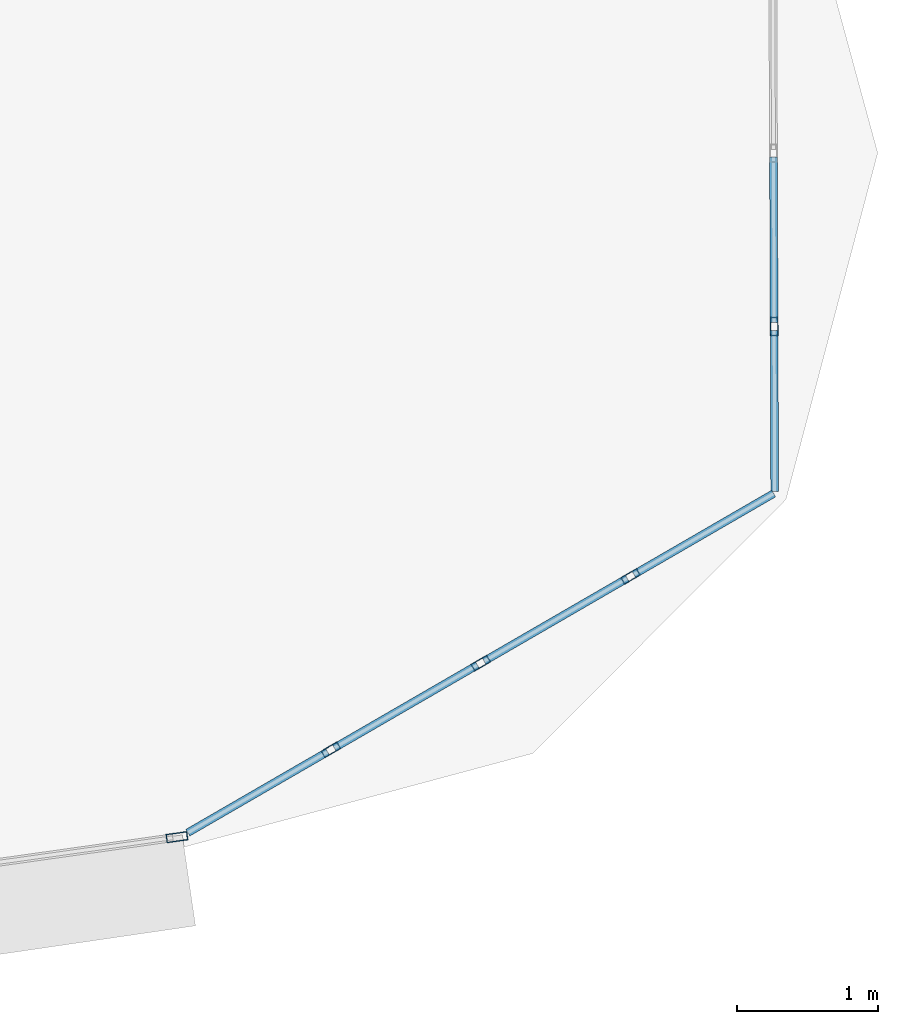
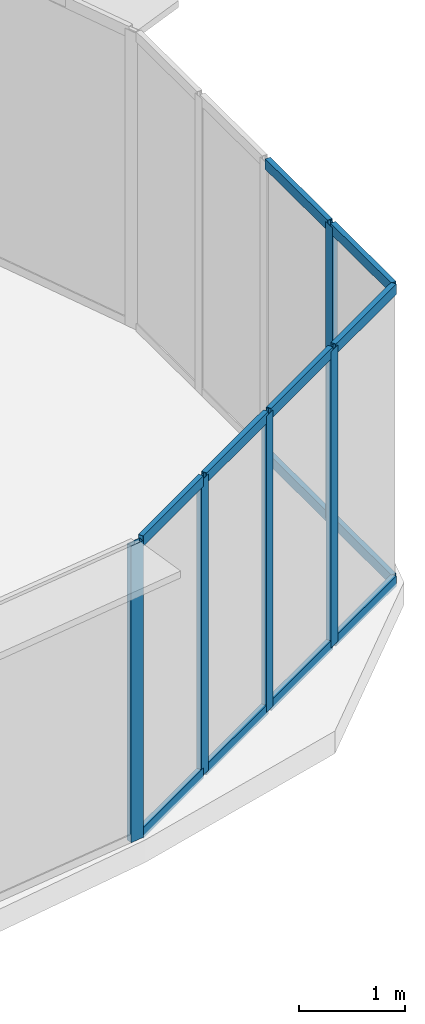
# One storey, part 24 of 40: 17 members, 3 elements without a shape of their own.
"""IFC4 building model written with IfcOpenShell, lengths in metres."""

from ifc_helpers import new_model, si_unit, direction, frame, origin, origin_2d, place, context, subcontext, project, spatial, hollow_rectangle, extrude, source, transform, mapped, material, layer, layer_set, material_profile, profile_set, type_object, element, aggregate, save


model = new_model("IFC4")

# Units and contexts
model_context = context("Model", 3, precision=1e-05, world=origin(), true_north=direction((0.0, 1.0)))
body_context = subcontext(model_context, "Body", "Model", "MODEL_VIEW")
ifc_project = project(units=[si_unit("LENGTHUNIT", "METRE"), si_unit("AREAUNIT", "SQUARE_METRE"), si_unit("VOLUMEUNIT", "CUBIC_METRE"), si_unit("PLANEANGLEUNIT", "RADIAN"), si_unit("MASSUNIT", "GRAM", prefix="KILO"), si_unit("THERMODYNAMICTEMPERATUREUNIT", "KELVIN"), si_unit("POWERUNIT", "WATT")], contexts=[model_context])

# Site, building, storey
site_placement = place(None, origin())
site = spatial("IfcSite", under=ifc_project, at=site_placement, CompositionType="ELEMENT")
building_placement = place(site_placement, origin())
building = spatial("IfcBuilding", under=site, at=building_placement, Name="Yunzhuo Pagoda Commons", CompositionType="ELEMENT")
storey_placement = place(building_placement, frame((0.0, 0.0, 159.27001953125)))
storey = spatial("IfcBuildingStorey", under=building, at=storey_placement, Name="L40", CompositionType="ELEMENT", Elevation=159.27001953125)

# Curtain wall, member
ifc_material = material(Name="Anodized aluminium 6063-T6", Category="aluminium")
ifc_layer_1 = layer(ifc_material, 0.14990234375)
ifc_layer_set_1 = layer_set([ifc_layer_1], Name="Anodized aluminium 6063-T6")
curtain_wall_type_1 = type_object("IfcCurtainWallType", Name="CW-MID Mid-Zone Ribbon Curtain Wall", PredefinedType="NOTDEFINED", material=ifc_layer_set_1)
curtain_wall_1_placement = place(storey_placement, origin())
curtain_wall_1 = element("IfcCurtainWall", 1, at=curtain_wall_1_placement, inside=storey, type_object=curtain_wall_type_1, Name="L40 curtain wall CW-L40-F1B5", PredefinedType="NOTDEFINED")
ifc_material_profile_1 = material_profile(ifc_material, hollow_rectangle(XDim=0.06005859375, YDim=0.14990234375, WallThickness=0.00390625, at=origin_2d()), Name="Anodized aluminium 6063-T6")
ifc_profile_set_1 = profile_set([ifc_material_profile_1], Name="Anodized aluminium 6063-T6")
member_type_1 = type_object("IfcMemberType", Name="CW-MID-M Mullion RHS 150x60x4", PredefinedType="MULLION", material=ifc_profile_set_1)
shared_shape_1 = source(origin(), body_context, "Body", "SweptSolid", [
    extrude(hollow_rectangle(XDim=0.06005859375, YDim=0.14990234375, WallThickness=0.00390625, at=origin_2d()), origin(), (0.0, 0.0, 1.0), 3.419677734375),
])
member_1_placement = place(storey_placement, frame((83.2685546875, 16.718994140625, 0.000244140625), z_axis=(0.0, 0.0, 1.0), x_axis=(-0.13962976996, 0.990203780714, 0.0)))
member_1 = element("IfcMember", 2, at=member_1_placement, type_object=member_type_1, Name="CW mullion 2", PredefinedType="MULLION", context=body_context, shape_type="MappedRepresentation", body=[
    mapped(shared_shape_1, transform((0.0, 0.0, 0.0), scale=1.0)),
])
aggregate(curtain_wall_1, [member_1])

# Curtain wall, members
ifc_layer_2 = layer(ifc_material, 0.1298828125)
ifc_layer_set_2 = layer_set([ifc_layer_2], Name="Anodized aluminium 6063-T6")
curtain_wall_type_2 = type_object("IfcCurtainWallType", Name="CW-VTX Rounded Corner Curtain Wall", PredefinedType="NOTDEFINED", material=ifc_layer_set_2)
curtain_wall_2_placement = place(storey_placement, origin())
curtain_wall_2 = element("IfcCurtainWall", 3, at=curtain_wall_2_placement, inside=storey, type_object=curtain_wall_type_2, Name="L40 curtain wall CW-L40-VTX2S1", PredefinedType="NOTDEFINED")
ifc_material_profile_2 = material_profile(ifc_material, hollow_rectangle(XDim=0.054931640625, YDim=0.1201171875, WallThickness=0.00341796875, at=origin_2d()), Name="Anodized aluminium 6063-T6")
ifc_profile_set_2 = profile_set([ifc_material_profile_2], Name="Anodized aluminium 6063-T6")
member_type_2 = type_object("IfcMemberType", Name="CW-VTX-T Transom RHS 120x55x3.5", PredefinedType="USERDEFINED", material=ifc_profile_set_2)
shared_shape_2 = source(origin(), body_context, "Body", "SweptSolid", [
    extrude(hollow_rectangle(XDim=0.054931640625, YDim=0.1201171875, WallThickness=0.00341796875, at=origin_2d()), origin(), (0.0, 0.0, 1.0), 1.141845703125),
])
member_2_placement = place(storey_placement, frame((83.345703125, 16.750732421875, 0.027587890625), z_axis=(0.865479953388, 0.500943559977, 0.0), x_axis=(-0.500943559977, 0.865479953388, 0.0)))
member_2 = element("IfcMember", 4, at=member_2_placement, type_object=member_type_2, Name="CW transom 1.1", ObjectType="TRANSOM", PredefinedType="USERDEFINED", context=body_context, shape_type="MappedRepresentation", body=[
    mapped(shared_shape_2, transform((0.0, 0.0, 0.0), scale=1.0)),
])
member_3_placement = place(storey_placement, frame((83.345703125, 16.750732421875, 3.392578125), z_axis=(0.865479953388, 0.500943559977, 0.0), x_axis=(-0.500943559977, 0.865479953388, 0.0)))
member_3 = element("IfcMember", 5, at=member_3_placement, type_object=member_type_2, Name="CW transom 1.2", ObjectType="TRANSOM", PredefinedType="USERDEFINED", context=body_context, shape_type="MappedRepresentation", body=[
    mapped(shared_shape_2, transform((0.0, 0.0, 0.0), scale=1.0)),
])
shared_shape_3 = source(origin(), body_context, "Body", "SweptSolid", [
    extrude(hollow_rectangle(XDim=0.054931640625, YDim=0.1201171875, WallThickness=0.00341796875, at=origin_2d()), origin(), (0.0, 0.0, 1.0), 1.16943359375),
])
member_4_placement = place(storey_placement, frame((84.381591796875, 17.350341796875, 0.027587890625), z_axis=(0.865402460801, 0.501077420005, 0.0), x_axis=(-0.501077420005, 0.865402460801, 0.0)))
member_4 = element("IfcMember", 6, at=member_4_placement, type_object=member_type_2, Name="CW transom 2.1", ObjectType="TRANSOM", PredefinedType="USERDEFINED", context=body_context, shape_type="MappedRepresentation", body=[
    mapped(shared_shape_3, transform((0.0, 0.0, 0.0), scale=1.0)),
])
member_5_placement = place(storey_placement, frame((84.381591796875, 17.350341796875, 3.392578125), z_axis=(0.865402460801, 0.501077420005, 0.0), x_axis=(-0.501077420005, 0.865402460801, 0.0)))
member_5 = element("IfcMember", 7, at=member_5_placement, type_object=member_type_2, Name="CW transom 2.2", ObjectType="TRANSOM", PredefinedType="USERDEFINED", context=body_context, shape_type="MappedRepresentation", body=[
    mapped(shared_shape_3, transform((0.0, 0.0, 0.0), scale=1.0)),
])
member_6_placement = place(storey_placement, frame((85.441162109375, 17.9638671875, 0.027587890625), z_axis=(0.865402460801, 0.501077420005, 0.0), x_axis=(-0.501077420005, 0.865402460801, 0.0)))
member_6 = element("IfcMember", 8, at=member_6_placement, type_object=member_type_2, Name="CW transom 3.1", ObjectType="TRANSOM", PredefinedType="USERDEFINED", context=body_context, shape_type="MappedRepresentation", body=[
    mapped(shared_shape_3, transform((0.0, 0.0, 0.0), scale=1.0)),
])
member_7_placement = place(storey_placement, frame((85.441162109375, 17.9638671875, 3.392578125), z_axis=(0.865402460801, 0.501077420005, 0.0), x_axis=(-0.501077420005, 0.865402460801, 0.0)))
member_7 = element("IfcMember", 9, at=member_7_placement, type_object=member_type_2, Name="CW transom 3.2", ObjectType="TRANSOM", PredefinedType="USERDEFINED", context=body_context, shape_type="MappedRepresentation", body=[
    mapped(shared_shape_3, transform((0.0, 0.0, 0.0), scale=1.0)),
])

curtain_wall_3_placement = place(storey_placement, origin())
curtain_wall_3 = element("IfcCurtainWall", 10, at=curtain_wall_3_placement, inside=storey, type_object=curtain_wall_type_2, Name="L40 curtain wall CW-L40-VTX2S2", PredefinedType="NOTDEFINED")
shared_shape_4 = source(origin(), body_context, "Body", "SweptSolid", [
    extrude(hollow_rectangle(XDim=0.054931640625, YDim=0.1201171875, WallThickness=0.00341796875, at=origin_2d()), origin(), (0.0, 0.0, 1.0), 1.169677734375),
])
member_8_placement = place(storey_placement, frame((87.492431640625, 20.359130859375, 0.027587890625), z_axis=(-0.003965737965, 0.99999213643, 0.0), x_axis=(-0.99999213643, -0.003965737965, 0.0)))
member_8 = element("IfcMember", 11, at=member_8_placement, type_object=member_type_2, Name="CW transom 2.1", ObjectType="TRANSOM", PredefinedType="USERDEFINED", context=body_context, shape_type="MappedRepresentation", body=[
    mapped(shared_shape_4, transform((0.0, 0.0, 0.0), scale=1.0)),
])
member_9_placement = place(storey_placement, frame((87.492431640625, 20.359130859375, 3.392578125), z_axis=(-0.003965737965, 0.99999213643, 0.0), x_axis=(-0.99999213643, -0.003965737965, 0.0)))
member_9 = element("IfcMember", 12, at=member_9_placement, type_object=member_type_2, Name="CW transom 2.2", ObjectType="TRANSOM", PredefinedType="USERDEFINED", context=body_context, shape_type="MappedRepresentation", body=[
    mapped(shared_shape_4, transform((0.0, 0.0, 0.0), scale=1.0)),
])
shared_shape_5 = source(origin(), body_context, "Body", "SweptSolid", [
    extrude(hollow_rectangle(XDim=0.054931640625, YDim=0.1201171875, WallThickness=0.00341796875, at=origin_2d()), origin(), (0.0, 0.0, 1.0), 1.1416015625),
])
member_10_placement = place(storey_placement, frame((87.496337890625, 19.16259765625, 0.027587890625), z_axis=(-0.003421707942, 0.99999414594, 0.0), x_axis=(-0.99999414594, -0.003421707942, 0.0)))
member_10 = element("IfcMember", 13, at=member_10_placement, type_object=member_type_2, Name="CW transom 1.1", ObjectType="TRANSOM", PredefinedType="USERDEFINED", context=body_context, shape_type="MappedRepresentation", body=[
    mapped(shared_shape_5, transform((0.0, 0.0, 0.0), scale=1.0)),
])
member_11_placement = place(storey_placement, frame((87.496337890625, 19.16259765625, 3.392578125), z_axis=(-0.003421707942, 0.99999414594, 0.0), x_axis=(-0.99999414594, -0.003421707942, 0.0)))
member_11 = element("IfcMember", 14, at=member_11_placement, type_object=member_type_2, Name="CW transom 1.2", ObjectType="TRANSOM", PredefinedType="USERDEFINED", context=body_context, shape_type="MappedRepresentation", body=[
    mapped(shared_shape_5, transform((0.0, 0.0, 0.0), scale=1.0)),
])

# Member
shared_shape_6 = source(origin(), body_context, "Body", "SweptSolid", [
    extrude(hollow_rectangle(XDim=0.054931640625, YDim=0.1201171875, WallThickness=0.00341796875, at=origin_2d()), origin(), (0.0, 0.0, 1.0), 1.14208984375),
])
member_12_placement = place(storey_placement, frame((86.500732421875, 18.5771484375, 0.027587890625), z_axis=(0.86538725222, 0.501103685574, 0.0), x_axis=(-0.501103685574, 0.86538725222, 0.0)))
member_12 = element("IfcMember", 15, at=member_12_placement, type_object=member_type_2, Name="CW transom 4.1", ObjectType="TRANSOM", PredefinedType="USERDEFINED", context=body_context, shape_type="MappedRepresentation", body=[
    mapped(shared_shape_6, transform((0.0, 0.0, 0.0), scale=1.0)),
])

member_13_placement = place(storey_placement, frame((86.500732421875, 18.5771484375, 3.392578125), z_axis=(0.86538725222, 0.501103685574, 0.0), x_axis=(-0.501103685574, 0.86538725222, 0.0)))
member_13 = element("IfcMember", 16, at=member_13_placement, type_object=member_type_2, Name="CW transom 4.2", ObjectType="TRANSOM", PredefinedType="USERDEFINED", context=body_context, shape_type="MappedRepresentation", body=[
    mapped(shared_shape_6, transform((0.0, 0.0, 0.0), scale=1.0)),
])

ifc_material_profile_3 = material_profile(ifc_material, hollow_rectangle(XDim=0.054931640625, YDim=0.1298828125, WallThickness=0.00341796875, at=origin_2d()), Name="Anodized aluminium 6063-T6")
ifc_profile_set_3 = profile_set([ifc_material_profile_3], Name="Anodized aluminium 6063-T6")
member_type_3 = type_object("IfcMemberType", Name="CW-VTX-M Mullion RHS 130x55x3.5", PredefinedType="MULLION", material=ifc_profile_set_3)
shared_shape_7 = source(origin(), body_context, "Body", "SweptSolid", [
    extrude(hollow_rectangle(XDim=0.054931640625, YDim=0.1298828125, WallThickness=0.00341796875, at=origin_2d()), origin(), (0.0, 0.0, 1.0), 3.419677734375),
])
member_14_placement = place(storey_placement, frame((84.357666015625, 17.336669921875, 0.000244140625), z_axis=(0.0, 0.0, 1.0), x_axis=(-0.501034660762, 0.865427217457, 0.0)))
member_14 = element("IfcMember", 17, at=member_14_placement, type_object=member_type_3, Name="CW mullion 2", PredefinedType="MULLION", context=body_context, shape_type="MappedRepresentation", body=[
    mapped(shared_shape_7, transform((0.0, 0.0, 0.0), scale=1.0)),
])

member_15_placement = place(storey_placement, frame((85.417236328125, 17.949951171875, 0.000244140625), z_axis=(0.0, 0.0, 1.0), x_axis=(-0.501034660762, 0.865427217457, 0.0)))
member_15 = element("IfcMember", 18, at=member_15_placement, type_object=member_type_3, Name="CW mullion 3", PredefinedType="MULLION", context=body_context, shape_type="MappedRepresentation", body=[
    mapped(shared_shape_7, transform((0.0, 0.0, 0.0), scale=1.0)),
])

member_16_placement = place(storey_placement, frame((86.476806640625, 18.5634765625, 0.000244140625), z_axis=(0.0, 0.0, 1.0), x_axis=(-0.501034660762, 0.865427217457, 0.0)))
member_16 = element("IfcMember", 19, at=member_16_placement, type_object=member_type_3, Name="CW mullion 4", PredefinedType="MULLION", context=body_context, shape_type="MappedRepresentation", body=[
    mapped(shared_shape_7, transform((0.0, 0.0, 0.0), scale=1.0)),
])

aggregate(curtain_wall_2, [member_14, member_15, member_16, member_2, member_3, member_4, member_5, member_6, member_7, member_12, member_13])

member_17_placement = place(storey_placement, frame((87.492431640625, 20.331787109375, 0.000244140625), z_axis=(0.0, 0.0, 1.0), x_axis=(-0.999993542566, -0.00359372042, 0.0)))
member_17 = element("IfcMember", 20, at=member_17_placement, type_object=member_type_3, Name="CW mullion 2", PredefinedType="MULLION", context=body_context, shape_type="MappedRepresentation", body=[
    mapped(shared_shape_7, transform((0.0, 0.0, 0.0), scale=1.0)),
])

aggregate(curtain_wall_3, [member_17, member_10, member_11, member_8, member_9])

save(model, "model.ifc")
